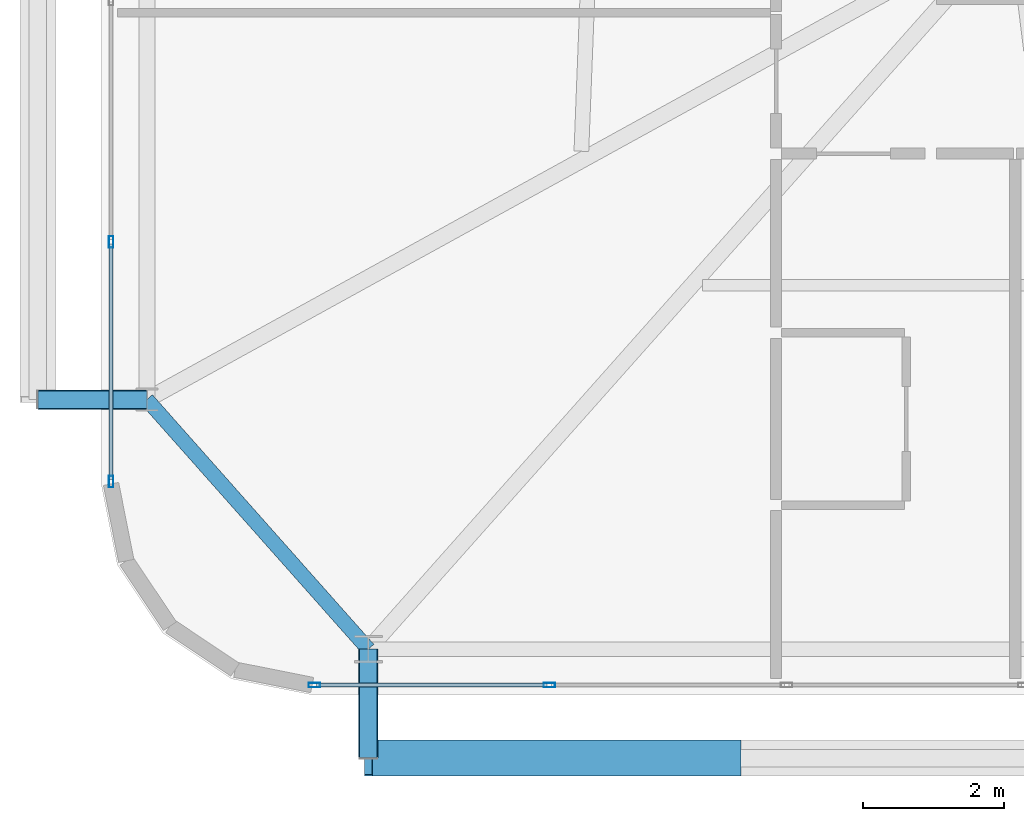
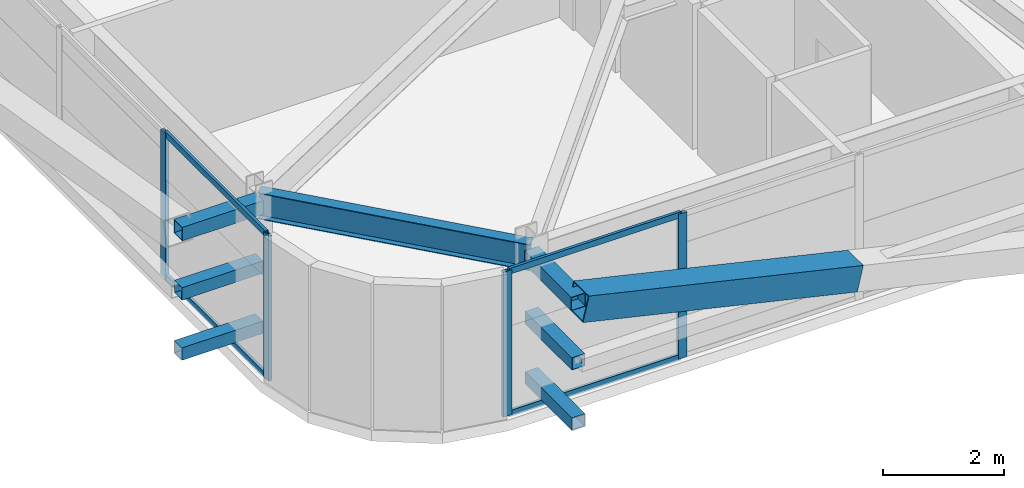
# One storey, part 5 of 58: 15 members, 1 beam, 2 elements without a shape of their own.
"""IFC4 building model written with IfcOpenShell, lengths in metres."""

from ifc_helpers import new_model, si_unit, direction, frame, origin, origin_2d, place, context, subcontext, project, spatial, hollow_rectangle, i_section, extrude, source, transform, mapped, material, layer, layer_set, material_profile, profile_set, type_object, element, aggregate, save


model = new_model("IFC4")

# Units and contexts
model_context = context("Model", 3, precision=1e-05, world=origin(), true_north=direction((0.0, 1.0)))
body_context = subcontext(model_context, "Body", "Model", "MODEL_VIEW")
ifc_project = project(units=[si_unit("LENGTHUNIT", "METRE"), si_unit("AREAUNIT", "SQUARE_METRE"), si_unit("VOLUMEUNIT", "CUBIC_METRE"), si_unit("PLANEANGLEUNIT", "RADIAN"), si_unit("MASSUNIT", "GRAM", prefix="KILO")], contexts=[model_context])

# Site, building, storey
site_placement = place(None, origin())
site = spatial("IfcSite", under=ifc_project, at=site_placement, CompositionType="ELEMENT")
building_placement = place(site_placement, origin())
building = spatial("IfcBuilding", under=site, at=building_placement, Name="Taldren Reach Tower", CompositionType="ELEMENT")
storey_placement = place(building_placement, frame((0.0, 0.0, 32.550048828125)))
storey = spatial("IfcBuildingStorey", under=building, at=storey_placement, Name="L09", CompositionType="ELEMENT", Elevation=32.550048828125)

# Beam
ifc_material_1 = material(Name="Steel Gr 350 (350PLUS)", Category="steel")
ifc_material_profile_1 = material_profile(ifc_material_1, i_section(OverallWidth=0.208984375, OverallDepth=0.528076171875, WebThickness=0.009521484375, FlangeThickness=0.01318359375, at=origin_2d()), Name="530UB82.0")
ifc_profile_set_1 = profile_set([ifc_material_profile_1], Name="Steel Gr 350 (350PLUS)")
beam_type = type_object("IfcBeamType", Name="SP-UB530B", PredefinedType="SPANDREL", material=ifc_profile_set_1)
shared_shape_1 = source(origin(), body_context, "Body", "SweptSolid", [
    extrude(i_section(OverallWidth=0.208984375, OverallDepth=0.528076171875, WebThickness=0.009521484375, FlangeThickness=0.01318359375, at=origin_2d()), origin(), (0.0, 0.0, 1.0), 4.74609375),
])
beam_placement = place(storey_placement, frame((5.64990234375, 5.699951171875, 2.666015625), z_axis=(0.663721843779, -0.747979487747, 0.0), x_axis=(0.747979487747, 0.663721843779, 0.0)))
element("IfcBeam", 1, at=beam_placement, inside=storey, type_object=beam_type, Name="Perimeter spandrel B1 W1-S1 L09", PredefinedType="SPANDREL", context=body_context, shape_type="MappedRepresentation", body=[
    mapped(shared_shape_1, transform((0.0, 0.0, 0.0), scale=1.0)),
])

# Members
ifc_material_2 = material(Name="Steel Gr 450 (C450L0)", Category="steel")
ifc_material_profile_2 = material_profile(ifc_material_2, hollow_rectangle(XDim=0.27490234375, YDim=0.27490234375, WallThickness=0.00927734375, at=origin_2d()), Name="275x275x9.3SHS")
ifc_profile_set_2 = profile_set([ifc_material_profile_2], Name="Steel Gr 450 (C450L0)")
member_type_1 = type_object("IfcMemberType", Name="MB-TIE273", PredefinedType="STRUT", material=ifc_profile_set_2)
shared_shape_2 = source(origin(), body_context, "Body", "SweptSolid", [
    extrude(hollow_rectangle(XDim=0.27490234375, YDim=0.27490234375, WallThickness=0.00927734375, at=origin_2d()), origin(), (0.0, 0.0, 1.0), 1.5498046875),
])
for number, where, z_axis, x_axis, name in (
    (2, (8.800048828125, 2.14990234375, 2.64990234375), (0.0, -1.0, 0.0), (1.0, 0.0, 0.0), "Exoskeleton diaphragm tie strut B1-S1 L09"),
    (3, (5.64990234375, 5.699951171875, 2.64990234375), (-1.0, 0.0, 0.0), (0.0, -1.0, 0.0), "Exoskeleton diaphragm tie strut B1-W1 L09"),
):
    element("IfcMember", number, at=place(storey_placement, frame(where, z_axis=z_axis, x_axis=x_axis)), inside=storey, type_object=member_type_1, Name=name, PredefinedType="STRUT", context=body_context, shape_type="MappedRepresentation", body=[
        mapped(shared_shape_2, transform((0.0, 0.0, 0.0), scale=1.0)),
    ])
ifc_material_profile_3 = material_profile(ifc_material_2, hollow_rectangle(XDim=0.510009765625, YDim=0.510009765625, WallThickness=0.02001953125, at=origin_2d()), Name="510x510x20.0SHS")
ifc_profile_set_3 = profile_set([ifc_material_profile_3], Name="Steel Gr 450 (C450L0)")
member_type_2 = type_object("IfcMemberType", Name="MB-EXO508", PredefinedType="BRACE", material=ifc_profile_set_3)
shared_shape_3 = source(origin(), body_context, "Body", "SweptSolid", [
    extrude(hollow_rectangle(XDim=0.510009765625, YDim=0.510009765625, WallThickness=0.02001953125, at=origin_2d()), origin(), (0.0, 0.0, 1.0), 5.37890625),
])
member_1_placement = place(storey_placement, frame((14.0400390625, 0.60009765625, 1.43505859375), z_axis=(-0.974161966843, 0.0, 0.225850531007), x_axis=(0.0, -1.0, 0.0)))
element("IfcMember", 4, at=member_1_placement, inside=storey, type_object=member_type_2, Name="Exoskeleton Diagrid Brace B1-S1 L09", PredefinedType="BRACE", context=body_context, shape_type="MappedRepresentation", body=[
    mapped(shared_shape_3, transform((0.0, 0.0, 0.0), scale=1.0)),
])
ifc_material_3 = material(Name="Steel Gr 350 (C350L0)", Category="steel")
ifc_material_profile_4 = material_profile(ifc_material_3, hollow_rectangle(XDim=0.25, YDim=0.25, WallThickness=0.010009765625, at=origin_2d()), Name="250x250x10.0SHS")
ifc_profile_set_4 = profile_set([ifc_material_profile_4], Name="Steel Gr 350 (C350L0)")
member_type_3 = type_object("IfcMemberType", Name="MB-POST250", PredefinedType="POST", material=ifc_profile_set_4)
shared_shape_4 = source(origin(), body_context, "Body", "SweptSolid", [
    extrude(hollow_rectangle(XDim=0.25, YDim=0.25, WallThickness=0.010009765625, at=origin_2d()), origin(), (0.0, 0.0, 1.0), 1.5498046875),
])
for number, where, z_axis, x_axis, name in (
    (5, (8.800048828125, 2.14990234375, 0.219970703125), (0.0, -1.0, 0.0), (1.0, 0.0, 0.0), "Exoskeleton base diaphragm tie strut B1-S1 L09"),
    (6, (5.64990234375, 5.699951171875, 0.219970703125), (-1.0, 0.0, 0.0), (0.0, -1.0, 0.0), "Exoskeleton base diaphragm tie strut B1-W1 L09"),
    (7, (8.800048828125, 2.14990234375, 1.43505859375), (0.0, -1.0, 0.0), (1.0, 0.0, 0.0), "Exoskeleton mid-tier diaphragm tie B1-S1 L09"),
    (8, (5.64990234375, 5.699951171875, 1.43505859375), (-1.0, 0.0, 0.0), (0.0, -1.0, 0.0), "Exoskeleton mid-tier diaphragm tie B1-W1 L09"),
):
    element("IfcMember", number, at=place(storey_placement, frame(where, z_axis=z_axis, x_axis=x_axis)), inside=storey, type_object=member_type_3, Name=name, PredefinedType="POST", context=body_context, shape_type="MappedRepresentation", body=[
        mapped(shared_shape_4, transform((0.0, 0.0, 0.0), scale=1.0)),
    ])

# Curtain wall, members
ifc_material_4 = material(Name="Aluminium and Low-E Glass Unitised System", Category="aluminium")
ifc_layer = layer(ifc_material_4, 0.159912109375)
ifc_layer_set = layer_set([ifc_layer], Name="Aluminium and Low-E Glass Unitised System")
curtain_wall_type = type_object("IfcCurtainWallType", Name="CW-SYS-2", PredefinedType="NOTDEFINED", material=ifc_layer_set)
curtain_wall_1_placement = place(storey_placement, origin())
curtain_wall_1 = element("IfcCurtainWall", 9, at=curtain_wall_1_placement, inside=storey, type_object=curtain_wall_type, Name="Unitised curtain wall CW-L09-S", PredefinedType="NOTDEFINED")
ifc_material_5 = material(Name="Anodised Aluminium 6063-T6", Category="aluminium")
ifc_material_profile_5 = material_profile(ifc_material_5, hollow_rectangle(XDim=0.06494140625, YDim=0.1650390625, WallThickness=0.00390625, at=origin_2d()), Name="ALU-165x65x4RHS")
ifc_profile_set_5 = profile_set([ifc_material_profile_5], Name="Anodised Aluminium 6063-T6")
member_type_4 = type_object("IfcMemberType", Name="CW-MUL-165", PredefinedType="MULLION", material=ifc_profile_set_5)
shared_shape_5 = source(origin(), body_context, "Body", "SweptSolid", [
    extrude(hollow_rectangle(XDim=0.06494140625, YDim=0.1650390625, WallThickness=0.00390625, at=origin_2d()), origin(), (0.0, 0.0, 1.0), 2.929931640625),
])
member_2_placement = place(storey_placement, frame((8.032470703125, 1.639892578125, 0.0), z_axis=(0.0, 0.0, 1.0), x_axis=(0.0, 1.0, 0.0)))
member_2 = element("IfcMember", 10, at=member_2_placement, type_object=member_type_4, Name="CW-2 mullion 1", PredefinedType="MULLION", context=body_context, shape_type="MappedRepresentation", body=[
    mapped(shared_shape_5, transform((0.0, 0.0, 0.0), scale=1.0)),
])
member_3_placement = place(storey_placement, frame((11.375, 1.639892578125, 0.0), z_axis=(0.0, 0.0, 1.0), x_axis=(0.0, 1.0, 0.0)))
member_3 = element("IfcMember", 11, at=member_3_placement, type_object=member_type_4, Name="CW-2 mullion 2", PredefinedType="MULLION", context=body_context, shape_type="MappedRepresentation", body=[
    mapped(shared_shape_5, transform((0.0, 0.0, 0.0), scale=1.0)),
])

curtain_wall_2_placement = place(storey_placement, origin())
curtain_wall_2 = element("IfcCurtainWall", 12, at=curtain_wall_2_placement, inside=storey, type_object=curtain_wall_type, Name="Unitised curtain wall CW-L09-W", PredefinedType="NOTDEFINED")
member_4_placement = place(storey_placement, frame((5.139892578125, 7.9443359375, 0.0), z_axis=(0.0, 0.0, 1.0), x_axis=(1.0, 0.0, 0.0)))
member_4 = element("IfcMember", 13, at=member_4_placement, type_object=member_type_4, Name="CW-2 mullion 9", PredefinedType="MULLION", context=body_context, shape_type="MappedRepresentation", body=[
    mapped(shared_shape_5, transform((0.0, 0.0, 0.0), scale=1.0)),
])
member_5_placement = place(storey_placement, frame((5.139892578125, 4.532470703125, 0.0), z_axis=(0.0, 0.0, 1.0), x_axis=(1.0, 0.0, 0.0)))
member_5 = element("IfcMember", 14, at=member_5_placement, type_object=member_type_4, Name="CW-2 mullion 10", PredefinedType="MULLION", context=body_context, shape_type="MappedRepresentation", body=[
    mapped(shared_shape_5, transform((0.0, 0.0, 0.0), scale=1.0)),
])

# Member
ifc_material_profile_6 = material_profile(ifc_material_5, hollow_rectangle(XDim=0.054931640625, YDim=0.1201171875, WallThickness=0.0029296875, at=origin_2d()), Name="ALU-120x55x3RHS")
ifc_profile_set_6 = profile_set([ifc_material_profile_6], Name="Anodised Aluminium 6063-T6")
member_type_5 = type_object("IfcMemberType", Name="CW-TRN-135", PredefinedType="USERDEFINED", material=ifc_profile_set_6)
shared_shape_6 = source(origin(), body_context, "Body", "SweptSolid", [
    extrude(hollow_rectangle(XDim=0.054931640625, YDim=0.1201171875, WallThickness=0.0029296875, at=origin_2d()), origin(), (0.0, 0.0, 1.0), 3.277587890625),
])
member_6_placement = place(storey_placement, frame((8.06494140625, 1.639892578125, 0.02734375), z_axis=(1.0, 0.0, 0.0), x_axis=(0.0, 1.0, 0.0)))
member_6 = element("IfcMember", 15, at=member_6_placement, type_object=member_type_5, Name="CW-2 transom 1.1", ObjectType="TRANSOM", PredefinedType="USERDEFINED", context=body_context, shape_type="MappedRepresentation", body=[
    mapped(shared_shape_6, transform((0.0, 0.0, 0.0), scale=1.0)),
])

member_7_placement = place(storey_placement, frame((8.06494140625, 1.639892578125, 2.90234375), z_axis=(1.0, 0.0, 0.0), x_axis=(0.0, 1.0, 0.0)))
member_7 = element("IfcMember", 16, at=member_7_placement, type_object=member_type_5, Name="CW-2 transom 1.2", ObjectType="TRANSOM", PredefinedType="USERDEFINED", context=body_context, shape_type="MappedRepresentation", body=[
    mapped(shared_shape_6, transform((0.0, 0.0, 0.0), scale=1.0)),
])

aggregate(curtain_wall_1, [member_2, member_3, member_6, member_7])

shared_shape_7 = source(origin(), body_context, "Body", "SweptSolid", [
    extrude(hollow_rectangle(XDim=0.054931640625, YDim=0.1201171875, WallThickness=0.0029296875, at=origin_2d()), origin(), (0.0, 0.0, 1.0), 3.346923828125),
])
member_8_placement = place(storey_placement, frame((5.139892578125, 7.911865234375, 0.02734375), z_axis=(0.0, -1.0, 0.0), x_axis=(1.0, 0.0, 0.0)))
member_8 = element("IfcMember", 17, at=member_8_placement, type_object=member_type_5, Name="CW-2 transom 9.1", ObjectType="TRANSOM", PredefinedType="USERDEFINED", context=body_context, shape_type="MappedRepresentation", body=[
    mapped(shared_shape_7, transform((0.0, 0.0, 0.0), scale=1.0)),
])

member_9_placement = place(storey_placement, frame((5.139892578125, 7.911865234375, 2.90234375), z_axis=(0.0, -1.0, 0.0), x_axis=(1.0, 0.0, 0.0)))
member_9 = element("IfcMember", 18, at=member_9_placement, type_object=member_type_5, Name="CW-2 transom 9.2", ObjectType="TRANSOM", PredefinedType="USERDEFINED", context=body_context, shape_type="MappedRepresentation", body=[
    mapped(shared_shape_7, transform((0.0, 0.0, 0.0), scale=1.0)),
])

aggregate(curtain_wall_2, [member_4, member_5, member_8, member_9])

save(model, "model.ifc")
